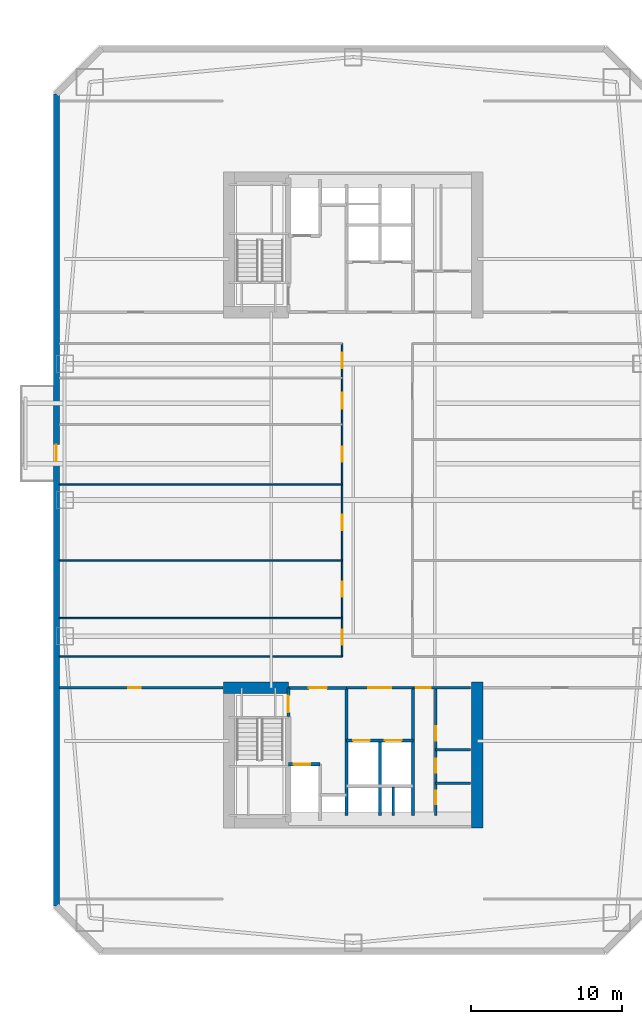
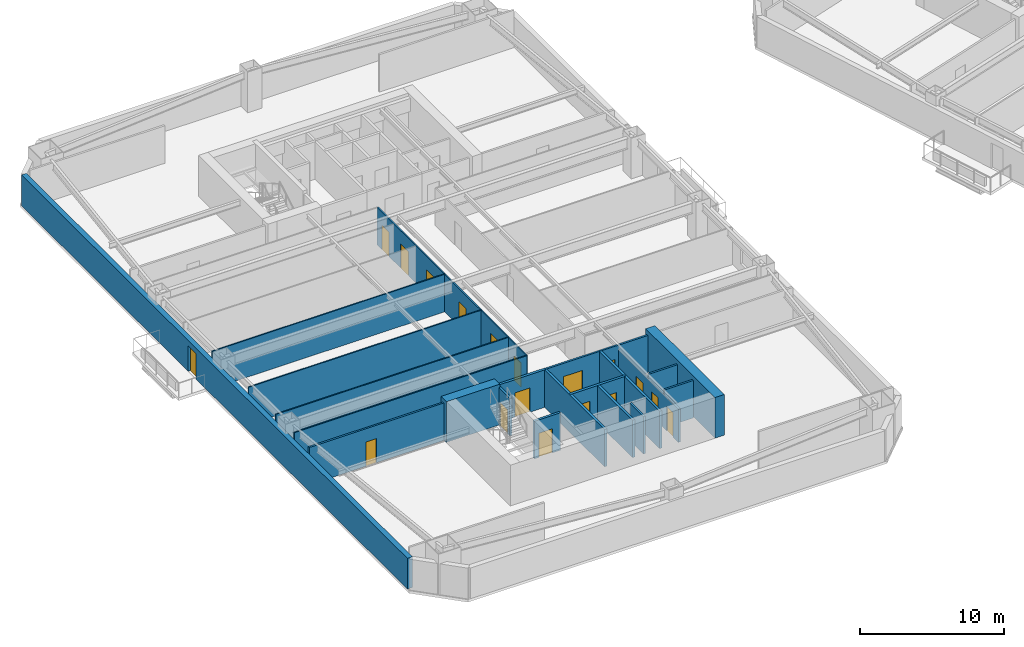
# One storey, part 4 of 15: 22 walls, 18 doors, 18 openings.
"""IFC4 building model written with IfcOpenShell, lengths in metres."""

from ifc_helpers import new_model, si_unit, direction, frame, frame_2d, origin, place, context, subcontext, project, spatial, rectangle, extrude, material, layer, layer_set, type_object, element, fill, save


model = new_model("IFC4")

# Units and contexts
model_context = context("Model", 3, precision=1e-05, world=origin(), true_north=direction((0.0, 1.0)))
body_context = subcontext(model_context, "Body", "Model", "MODEL_VIEW")
ifc_project = project(units=[si_unit("LENGTHUNIT", "METRE"), si_unit("AREAUNIT", "SQUARE_METRE"), si_unit("VOLUMEUNIT", "CUBIC_METRE"), si_unit("PLANEANGLEUNIT", "RADIAN"), si_unit("MASSUNIT", "GRAM", prefix="KILO")], contexts=[model_context])

# Site, building, storey
site_placement = place(None, origin())
site = spatial("IfcSite", under=ifc_project, at=site_placement, CompositionType="ELEMENT")
building_placement = place(site_placement, origin())
building = spatial("IfcBuilding", under=site, at=building_placement, Name="Qiaolan Cultural Towers", CompositionType="ELEMENT")
storey_placement = place(building_placement, frame((0.0, 0.0, 50.60009765625)))
storey = spatial("IfcBuildingStorey", under=building, at=storey_placement, Name="L11", CompositionType="ELEMENT", Elevation=50.60009765625)

# Walls
ifc_material_1 = material(Name="Concrete C60", Category="concrete")
ifc_layer_1 = layer(ifc_material_1, 0.75)
ifc_layer_set_1 = layer_set([ifc_layer_1], Name="Concrete C60")
wall_type_1 = type_object("IfcWallType", Name="WL-CORE-750", PredefinedType="SHEAR", material=ifc_layer_set_1)
wall_1_placement = place(storey_placement, frame((38.199951171875, 21.97509765625, 0.0), z_axis=(0.0, 0.0, 1.0), x_axis=(0.0, -1.0, 0.0)))
element("IfcWall", 1, at=wall_1_placement, inside=storey, type_object=wall_type_1, Name="L11 T1-CS East Core Shear Wall", PredefinedType="SHEAR", context=body_context, shape_type="SweptSolid", body=[
    extrude(rectangle(XDim=9.630126953125, YDim=0.75, at=frame_2d((4.81494140625, 0.0))), origin(), (0.0, 0.0, 1.0), 3.449951171875),
])
wall_2_placement = place(storey_placement, frame((21.425048828125, 21.60009765625, 0.0), z_axis=(0.0, 0.0, 1.0), x_axis=(1.0, 0.0, 0.0)))
element("IfcWall", 2, at=wall_2_placement, inside=storey, type_object=wall_type_1, Name="L11 T1-CS Stair Front Shear Wall", PredefinedType="SHEAR", context=body_context, shape_type="SweptSolid", body=[
    extrude(rectangle(XDim=4.294921875, YDim=0.75, at=frame_2d((2.1474609375, 0.0))), origin(), (0.0, 0.0, 1.0), 3.449951171875),
])

# Wall, opening, door
ifc_material_2 = material(Name="Precast Concrete C50 Honed Stone Pier", Category="masonry")
ifc_layer_2 = layer(ifc_material_2, 0.39990234375)
ifc_layer_set_2 = layer_set([ifc_layer_2], Name="Precast Concrete C50 Honed Stone Pier")
wall_type_2 = type_object("IfcWallType", Name="WL-EXT-PIER-400", PredefinedType="SOLIDWALL", material=ifc_layer_set_2)
wall_3_placement = place(storey_placement, frame((10.39990234375, 7.199951171875, 0.0), z_axis=(0.0, 0.0, 1.0), x_axis=(0.0, 1.0, 0.0)))
wall_3 = element("IfcWall", 3, at=wall_3_placement, inside=storey, type_object=wall_type_2, Name="L11 West Tower Precast Pier Facade Wall F1", PredefinedType="SOLIDWALL", context=body_context, shape_type="SweptSolid", body=[
    extrude(rectangle(XDim=53.60009765625, YDim=0.39990234375, at=frame_2d((26.800048828125, 0.0))), origin(), (0.0, 0.0, 1.0), 2.60986328125),
])
opening_1_placement = place(wall_3_placement, frame((29.35009765625, 0.0, 0.0)))
opening_1 = element("IfcOpeningElement", 4, at=opening_1_placement, cuts=wall_3, Name="Opening BD-01", PredefinedType="OPENING", context=body_context, shape_type="SweptSolid", body=[
    extrude(rectangle(XDim=1.10009765625, YDim=2.14990234375, at=frame_2d((0.550048828125, 1.074951171875))), frame((0.0, 0.2099609375, 0.0), z_axis=(0.0, -1.0, 0.0), x_axis=(1.0, 0.0, 0.0)), (0.0, 0.0, 1.0), 0.419921875),
])
ifc_material_3 = material(Name="Thermally Broken Aluminium Glazed Terrace Door", Category="aluminium")
door_type_1 = type_object("IfcDoorType", Name="DR-BAL-1100", OperationType="NOTDEFINED", PredefinedType="DOOR", material=ifc_material_3)
door_1_placement = place(opening_1_placement, origin())
door_1 = element("IfcDoor", 5, at=door_1_placement, inside=storey, type_object=door_type_1, Name="L11 T1 West Tree Balcony Door", OperationType="SINGLE_SWING_LEFT", OverallHeight=2.14990234375, OverallWidth=1.10009765625, PredefinedType="DOOR", context=body_context, shape_type="SweptSolid", body=[
    extrude(rectangle(XDim=1.10009765625, YDim=2.14990234375, at=frame_2d((0.550048828125, 1.074951171875))), frame((0.0, 0.02490234375, 0.0), z_axis=(0.0, -1.0, 0.0), x_axis=(1.0, 0.0, 0.0)), (0.0, 0.0, 1.0), 0.050048828125),
])
fill(opening_1, door_1)

ifc_material_4 = material(Name="Concrete C35 Fire Wall", Category="concrete")
ifc_layer_3 = layer(ifc_material_4, 0.199951171875)
ifc_layer_set_3 = layer_set([ifc_layer_3], Name="Concrete C35 Fire Wall")
wall_type_3 = type_object("IfcWallType", Name="WL-FIRE-200", PredefinedType="PARTITIONING", material=ifc_layer_set_3)
wall_4_placement = place(storey_placement, frame((25.719970703125, 21.60009765625, 0.0), z_axis=(0.0, 0.0, 1.0), x_axis=(0.0, -1.0, 0.0)))
wall_4 = element("IfcWall", 6, at=wall_4_placement, inside=storey, type_object=wall_type_3, Name="L11 T1-CS Smokeproof Stair Entry Wall", PredefinedType="PARTITIONING", context=body_context, shape_type="SweptSolid", body=[
    extrude(rectangle(XDim=1.900146484375, YDim=0.199951171875, at=frame_2d((0.9501953125, 0.0))), origin(), (0.0, 0.0, 1.0), 3.1748046875),
])
opening_2_placement = place(wall_4_placement, frame((0.52001953125, 0.0, 0.0)))
opening_2 = element("IfcOpeningElement", 7, at=opening_2_placement, cuts=wall_4, Name="Opening FD-04", PredefinedType="OPENING", context=body_context, shape_type="SweptSolid", body=[
    extrude(rectangle(XDim=1.10009765625, YDim=2.050048828125, at=frame_2d((0.550048828125, 1.02490234375))), frame((0.0, 0.10986328125, 0.0), z_axis=(0.0, -1.0, 0.0), x_axis=(1.0, 0.0, 0.0)), (0.0, 0.0, 1.0), 0.219970703125),
])
ifc_material_5 = material(Name="Galvanized Steel Command Fire Door", Category="steel")
door_type_2 = type_object("IfcDoorType", Name="DR-FD90-1100", OperationType="NOTDEFINED", PredefinedType="DOOR", material=ifc_material_5)
door_2_placement = place(opening_2_placement, origin())
door_2 = element("IfcDoor", 8, at=door_2_placement, inside=storey, type_object=door_type_2, Name="L11 ST-W1 Smokeproof Stair Fire Door", OperationType="SINGLE_SWING_LEFT", OverallHeight=2.050048828125, OverallWidth=1.10009765625, PredefinedType="DOOR", context=body_context, shape_type="SweptSolid", body=[
    extrude(rectangle(XDim=1.10009765625, YDim=2.050048828125, at=frame_2d((0.550048828125, 1.02490234375))), frame((0.0, 0.02490234375, 0.0), z_axis=(0.0, -1.0, 0.0), x_axis=(1.0, 0.0, 0.0)), (0.0, 0.0, 1.0), 0.050048828125),
])
fill(opening_2, door_2)

# Wall
wall_5_placement = place(storey_placement, frame((29.550048828125, 21.60009765625, 0.0), z_axis=(0.0, 0.0, 1.0), x_axis=(0.0, -1.0, 0.0)))
element("IfcWall", 9, at=wall_5_placement, inside=storey, type_object=wall_type_3, Name="L11 T1-CS Firefighting Zone Wall", PredefinedType="PARTITIONING", context=body_context, shape_type="SweptSolid", body=[
    extrude(rectangle(XDim=8.43017578125, YDim=0.199951171875, at=frame_2d((4.215087890625, 0.0))), origin(), (0.0, 0.0, 1.0), 3.1748046875),
])

# Wall, opening, door
wall_6_placement = place(storey_placement, frame((25.719970703125, 21.60009765625, 0.0), z_axis=(0.0, 0.0, 1.0), x_axis=(1.0, 0.0, 0.0)))
wall_6 = element("IfcWall", 10, at=wall_6_placement, inside=storey, type_object=wall_type_3, Name="L11 T1-CS Firefighting Lobby Front Wall", PredefinedType="PARTITIONING", context=body_context, shape_type="SweptSolid", body=[
    extrude(rectangle(XDim=3.830078125, YDim=0.199951171875, at=frame_2d((1.9150390625, 0.0))), origin(), (0.0, 0.0, 1.0), 3.1748046875),
])
opening_3_placement = place(wall_6_placement, frame((1.35009765625, 0.0, 0.0)))
opening_3 = element("IfcOpeningElement", 11, at=opening_3_placement, cuts=wall_6, Name="Opening FD-03", PredefinedType="OPENING", context=body_context, shape_type="SweptSolid", body=[
    extrude(rectangle(XDim=1.199951171875, YDim=2.050048828125, at=frame_2d((0.60009765625, 1.02490234375))), frame((0.0, 0.10986328125, 0.0), z_axis=(0.0, -1.0, 0.0), x_axis=(1.0, 0.0, 0.0)), (0.0, 0.0, 1.0), 0.219970703125),
])
ifc_material_6 = material(Name="Galvanized Steel Smokeproof Lobby Fire Door", Category="steel")
door_type_3 = type_object("IfcDoorType", Name="DR-FD90-1200", OperationType="NOTDEFINED", PredefinedType="DOOR", material=ifc_material_6)
door_3_placement = place(opening_3_placement, origin())
door_3 = element("IfcDoor", 12, at=door_3_placement, inside=storey, type_object=door_type_3, Name="L11 FFL-W1 Firefighting Lobby Fire Door", OperationType="SINGLE_SWING_LEFT", OverallHeight=2.050048828125, OverallWidth=1.199951171875, PredefinedType="DOOR", context=body_context, shape_type="SweptSolid", body=[
    extrude(rectangle(XDim=1.199951171875, YDim=2.050048828125, at=frame_2d((0.60009765625, 1.02490234375))), frame((0.0, 0.02490234375, 0.0), z_axis=(0.0, -1.0, 0.0), x_axis=(1.0, 0.0, 0.0)), (0.0, 0.0, 1.0), 0.050048828125),
])
fill(opening_3, door_3)

wall_7_placement = place(storey_placement, frame((25.719970703125, 16.550048828125, 0.0), z_axis=(0.0, 0.0, 1.0), x_axis=(1.0, 0.0, 0.0)))
wall_7 = element("IfcWall", 13, at=wall_7_placement, inside=storey, type_object=wall_type_3, Name="L11 T1-CS Firefighting Shaft Front Wall", PredefinedType="PARTITIONING", context=body_context, shape_type="SweptSolid", body=[
    extrude(rectangle(XDim=2.10009765625, YDim=0.199951171875, at=frame_2d((1.050048828125, 0.0))), origin(), (0.0, 0.0, 1.0), 3.1748046875),
])
opening_4_placement = place(wall_7_placement, frame((0.35009765625, 0.0, 0.0)))
opening_4 = element("IfcOpeningElement", 14, at=opening_4_placement, cuts=wall_7, Name="Opening LD-01", PredefinedType="OPENING", context=body_context, shape_type="SweptSolid", body=[
    extrude(rectangle(XDim=1.10009765625, YDim=2.050048828125, at=frame_2d((0.550048828125, 1.02490234375))), frame((0.0, 0.10986328125, 0.0), z_axis=(0.0, -1.0, 0.0), x_axis=(1.0, 0.0, 0.0)), (0.0, 0.0, 1.0), 0.219970703125),
])
ifc_material_7 = material(Name="Brushed Stainless Steel S30408 Centre-Parting Lift Landing Door", Category="steel")
door_type_4 = type_object("IfcDoorType", Name="DR-LIFT-1100", OperationType="NOTDEFINED", PredefinedType="DOOR", material=ifc_material_7)
door_4_placement = place(opening_4_placement, origin())
door_4 = element("IfcDoor", 15, at=door_4_placement, inside=storey, type_object=door_type_4, Name="L11 FFL-W1 Firefighting Lift Landing Door", OperationType="DOUBLE_DOOR_SLIDING", OverallHeight=2.050048828125, OverallWidth=1.10009765625, PredefinedType="DOOR", context=body_context, shape_type="SweptSolid", body=[
    extrude(rectangle(XDim=1.10009765625, YDim=2.050048828125, at=frame_2d((0.550048828125, 1.02490234375))), frame((0.0, 0.02490234375, 0.0), z_axis=(0.0, -1.0, 0.0), x_axis=(1.0, 0.0, 0.0)), (0.0, 0.0, 1.0), 0.050048828125),
])
fill(opening_4, door_4)

# Wall
wall_8_placement = place(storey_placement, frame((33.949951171875, 21.60009765625, 0.0), z_axis=(0.0, 0.0, 1.0), x_axis=(0.0, -1.0, 0.0)))
element("IfcWall", 16, at=wall_8_placement, inside=storey, type_object=wall_type_3, Name="L11 T1-CS Lift Core East Wall", PredefinedType="PARTITIONING", context=body_context, shape_type="SweptSolid", body=[
    extrude(rectangle(XDim=8.43017578125, YDim=0.199951171875, at=frame_2d((4.215087890625, 0.0))), origin(), (0.0, 0.0, 1.0), 3.1748046875),
])

# Wall, openings, doors
wall_9_placement = place(storey_placement, frame((29.550048828125, 18.1201171875, 0.0), z_axis=(0.0, 0.0, 1.0), x_axis=(1.0, 0.0, 0.0)))
wall_9 = element("IfcWall", 17, at=wall_9_placement, inside=storey, type_object=wall_type_3, Name="L11 T1-CS Passenger Lift Shaft Front Wall", PredefinedType="PARTITIONING", context=body_context, shape_type="SweptSolid", body=[
    extrude(rectangle(XDim=4.39990234375, YDim=0.199951171875, at=frame_2d((2.199951171875, 0.0))), origin(), (0.0, 0.0, 1.0), 3.1748046875),
])
opening_5_placement = place(wall_9_placement, frame((0.449951171875, 0.0, 0.0)))
opening_5 = element("IfcOpeningElement", 18, at=opening_5_placement, cuts=wall_9, Name="Opening LD-01", PredefinedType="OPENING", context=body_context, shape_type="SweptSolid", body=[
    extrude(rectangle(XDim=1.10009765625, YDim=2.050048828125, at=frame_2d((0.550048828125, 1.02490234375))), frame((0.0, 0.10986328125, 0.0), z_axis=(0.0, -1.0, 0.0), x_axis=(1.0, 0.0, 0.0)), (0.0, 0.0, 1.0), 0.219970703125),
])
opening_6_placement = place(wall_9_placement, frame((2.550048828125, 0.0, 0.0)))
opening_6 = element("IfcOpeningElement", 19, at=opening_6_placement, cuts=wall_9, Name="Opening LD-01", PredefinedType="OPENING", context=body_context, shape_type="SweptSolid", body=[
    extrude(rectangle(XDim=1.10009765625, YDim=2.050048828125, at=frame_2d((0.550048828125, 1.02490234375))), frame((0.0, 0.10986328125, 0.0), z_axis=(0.0, -1.0, 0.0), x_axis=(1.0, 0.0, 0.0)), (0.0, 0.0, 1.0), 0.219970703125),
])
door_5_placement = place(opening_5_placement, origin())
door_5 = element("IfcDoor", 20, at=door_5_placement, inside=storey, type_object=door_type_4, Name="L11 Passenger Lift 1 Landing Door", OperationType="DOUBLE_DOOR_SLIDING", OverallHeight=2.050048828125, OverallWidth=1.10009765625, PredefinedType="DOOR", context=body_context, shape_type="SweptSolid", body=[
    extrude(rectangle(XDim=1.10009765625, YDim=2.050048828125, at=frame_2d((0.550048828125, 1.02490234375))), frame((0.0, 0.02490234375, 0.0), z_axis=(0.0, -1.0, 0.0), x_axis=(1.0, 0.0, 0.0)), (0.0, 0.0, 1.0), 0.050048828125),
])
fill(opening_5, door_5)
door_6_placement = place(opening_6_placement, origin())
door_6 = element("IfcDoor", 21, at=door_6_placement, inside=storey, type_object=door_type_4, Name="L11 Passenger Lift 2 Landing Door", OperationType="DOUBLE_DOOR_SLIDING", OverallHeight=2.050048828125, OverallWidth=1.10009765625, PredefinedType="DOOR", context=body_context, shape_type="SweptSolid", body=[
    extrude(rectangle(XDim=1.10009765625, YDim=2.050048828125, at=frame_2d((0.550048828125, 1.02490234375))), frame((0.0, 0.02490234375, 0.0), z_axis=(0.0, -1.0, 0.0), x_axis=(1.0, 0.0, 0.0)), (0.0, 0.0, 1.0), 0.050048828125),
])
fill(opening_6, door_6)

# Walls
wall_10_placement = place(storey_placement, frame((31.780029296875, 18.1201171875, 0.0), z_axis=(0.0, 0.0, 1.0), x_axis=(0.0, -1.0, 0.0)))
element("IfcWall", 22, at=wall_10_placement, inside=storey, type_object=wall_type_3, Name="L11 T1-CS Lift Shaft Divider Wall", PredefinedType="PARTITIONING", context=body_context, shape_type="SweptSolid", body=[
    extrude(rectangle(XDim=4.9501953125, YDim=0.199951171875, at=frame_2d((2.47509765625, 0.0))), origin(), (0.0, 0.0, 1.0), 3.1748046875),
])
ifc_material_8 = material(Name="Acoustic Double-Glazed Partition Frame", Category="glass")
ifc_layer_4 = layer(ifc_material_8, 0.10009765625)
ifc_layer_set_4 = layer_set([ifc_layer_4], Name="Acoustic Double-Glazed Partition Frame")
wall_type_4 = type_object("IfcWallType", Name="WL-GLAZED-100", PredefinedType="MOVABLE", material=ifc_layer_set_4)
wall_11_placement = place(storey_placement, frame((10.60009765625, 23.64990234375, 0.0), z_axis=(0.0, 0.0, 1.0), x_axis=(1.0, 0.0, 0.0)))
element("IfcWall", 23, at=wall_11_placement, inside=storey, type_object=wall_type_4, Name="L11 T1 South Corridor Left Wall", PredefinedType="MOVABLE", context=body_context, shape_type="SweptSolid", body=[
    extrude(rectangle(XDim=18.6748046875, YDim=0.10009765625, at=frame_2d((9.33740234375, 0.0))), origin(), (0.0, 0.0, 1.0), 3.1748046875),
])

# Wall, openings, doors
wall_12_placement = place(storey_placement, frame((29.27490234375, 23.64990234375, 0.0), z_axis=(0.0, 0.0, 1.0), x_axis=(0.0, 1.0, 0.0)))
wall_12 = element("IfcWall", 24, at=wall_12_placement, inside=storey, type_object=wall_type_4, Name="L11 T1 West Spine Wall", PredefinedType="MOVABLE", context=body_context, shape_type="SweptSolid", body=[
    extrude(rectangle(XDim=20.7001953125, YDim=0.10009765625, at=frame_2d((10.35009765625, 0.0))), origin(), (0.0, 0.0, 1.0), 3.1748046875),
])
opening_7_placement = place(wall_12_placement, frame((0.77490234375, 0.0, 0.0)))
opening_7 = element("IfcOpeningElement", 25, at=opening_7_placement, cuts=wall_12, Name="Opening ID-04", PredefinedType="OPENING", context=body_context, shape_type="SweptSolid", body=[
    extrude(rectangle(XDim=1.0, YDim=2.050048828125, at=frame_2d((0.5, 1.02490234375))), frame((0.0, 0.06005859375, 0.0), z_axis=(0.0, -1.0, 0.0), x_axis=(1.0, 0.0, 0.0)), (0.0, 0.0, 1.0), 0.1201171875),
])
opening_8_placement = place(wall_12_placement, frame((3.949951171875, 0.0, 0.0)))
opening_8 = element("IfcOpeningElement", 26, at=opening_8_placement, cuts=wall_12, Name="Opening ID-04", PredefinedType="OPENING", context=body_context, shape_type="SweptSolid", body=[
    extrude(rectangle(XDim=1.0, YDim=2.050048828125, at=frame_2d((0.5, 1.02490234375))), frame((0.0, 0.06005859375, 0.0), z_axis=(0.0, -1.0, 0.0), x_axis=(1.0, 0.0, 0.0)), (0.0, 0.0, 1.0), 0.1201171875),
])
opening_9_placement = place(wall_12_placement, frame((8.364013671875, 0.0, 0.0)))
opening_9 = element("IfcOpeningElement", 27, at=opening_9_placement, cuts=wall_12, Name="Opening ID-04", PredefinedType="OPENING", context=body_context, shape_type="SweptSolid", body=[
    extrude(rectangle(XDim=1.0, YDim=2.050048828125, at=frame_2d((0.5, 1.02490234375))), frame((0.0, 0.06005859375, 0.0), z_axis=(0.0, -1.0, 0.0), x_axis=(1.0, 0.0, 0.0)), (0.0, 0.0, 1.0), 0.1201171875),
])
opening_10_placement = place(wall_12_placement, frame((12.864013671875, 0.0, 0.0)))
opening_10 = element("IfcOpeningElement", 28, at=opening_10_placement, cuts=wall_12, Name="Opening ID-04", PredefinedType="OPENING", context=body_context, shape_type="SweptSolid", body=[
    extrude(rectangle(XDim=1.0, YDim=2.050048828125, at=frame_2d((0.5, 1.02490234375))), frame((0.0, 0.06005859375, 0.0), z_axis=(0.0, -1.0, 0.0), x_axis=(1.0, 0.0, 0.0)), (0.0, 0.0, 1.0), 0.1201171875),
])
opening_11_placement = place(wall_12_placement, frame((16.383056640625, 0.0, 0.0)))
opening_11 = element("IfcOpeningElement", 29, at=opening_11_placement, cuts=wall_12, Name="Opening ID-07", PredefinedType="OPENING", context=body_context, shape_type="SweptSolid", body=[
    extrude(rectangle(XDim=1.050048828125, YDim=2.050048828125, at=frame_2d((0.52490234375, 1.02490234375))), frame((0.0, 0.06005859375, 0.0), z_axis=(0.0, -1.0, 0.0), x_axis=(1.0, 0.0, 0.0)), (0.0, 0.0, 1.0), 0.1201171875),
])
opening_12_placement = place(wall_12_placement, frame((19.05810546875, 0.0, 0.0)))
opening_12 = element("IfcOpeningElement", 30, at=opening_12_placement, cuts=wall_12, Name="Opening ID-04", PredefinedType="OPENING", context=body_context, shape_type="SweptSolid", body=[
    extrude(rectangle(XDim=1.0, YDim=2.050048828125, at=frame_2d((0.5, 1.02490234375))), frame((0.0, 0.06005859375, 0.0), z_axis=(0.0, -1.0, 0.0), x_axis=(1.0, 0.0, 0.0)), (0.0, 0.0, 1.0), 0.1201171875),
])
ifc_material_9 = material(Name="Oak Veneer Acoustic Office Door", Category="timber")
door_type_5 = type_object("IfcDoorType", Name="DR-INT-1000", OperationType="NOTDEFINED", PredefinedType="DOOR", material=ifc_material_9)
door_7_placement = place(opening_7_placement, origin())
door_7 = element("IfcDoor", 31, at=door_7_placement, inside=storey, type_object=door_type_5, Name="L11 T1 Project Briefing Room Door", OperationType="SINGLE_SWING_LEFT", OverallHeight=2.050048828125, OverallWidth=1.0, PredefinedType="DOOR", context=body_context, shape_type="SweptSolid", body=[
    extrude(rectangle(XDim=1.0, YDim=2.050048828125, at=frame_2d((0.5, 1.02490234375))), frame((0.0, 0.02490234375, 0.0), z_axis=(0.0, -1.0, 0.0), x_axis=(1.0, 0.0, 0.0)), (0.0, 0.0, 1.0), 0.050048828125),
])
fill(opening_7, door_7)
door_8_placement = place(opening_8_placement, origin())
door_8 = element("IfcDoor", 32, at=door_8_placement, inside=storey, type_object=door_type_5, Name="L11 T1 Curatorial Research Office Door", OperationType="SINGLE_SWING_RIGHT", OverallHeight=2.050048828125, OverallWidth=1.0, PredefinedType="DOOR", context=body_context, shape_type="SweptSolid", body=[
    extrude(rectangle(XDim=1.0, YDim=2.050048828125, at=frame_2d((0.5, 1.02490234375))), frame((0.0, 0.02490234375, 0.0), z_axis=(0.0, -1.0, 0.0), x_axis=(1.0, 0.0, 0.0)), (0.0, 0.0, 1.0), 0.050048828125),
])
fill(opening_8, door_8)
door_9_placement = place(opening_9_placement, origin())
door_9 = element("IfcDoor", 33, at=door_9_placement, inside=storey, type_object=door_type_5, Name="L11 T1 Curatorial Research Office Door", OperationType="SINGLE_SWING_LEFT", OverallHeight=2.050048828125, OverallWidth=1.0, PredefinedType="DOOR", context=body_context, shape_type="SweptSolid", body=[
    extrude(rectangle(XDim=1.0, YDim=2.050048828125, at=frame_2d((0.5, 1.02490234375))), frame((0.0, 0.02490234375, 0.0), z_axis=(0.0, -1.0, 0.0), x_axis=(1.0, 0.0, 0.0)), (0.0, 0.0, 1.0), 0.050048828125),
])
fill(opening_9, door_9)
door_10_placement = place(opening_10_placement, origin())
door_10 = element("IfcDoor", 34, at=door_10_placement, inside=storey, type_object=door_type_5, Name="L11 T1 Wellness Consultation Room Door", OperationType="SINGLE_SWING_RIGHT", OverallHeight=2.050048828125, OverallWidth=1.0, PredefinedType="DOOR", context=body_context, shape_type="SweptSolid", body=[
    extrude(rectangle(XDim=1.0, YDim=2.050048828125, at=frame_2d((0.5, 1.02490234375))), frame((0.0, 0.02490234375, 0.0), z_axis=(0.0, -1.0, 0.0), x_axis=(1.0, 0.0, 0.0)), (0.0, 0.0, 1.0), 0.050048828125),
])
fill(opening_10, door_10)
door_11_placement = place(opening_12_placement, origin())
door_11 = element("IfcDoor", 35, at=door_11_placement, inside=storey, type_object=door_type_5, Name="L11 T1 Staff Lounge Door", OperationType="SINGLE_SWING_RIGHT", OverallHeight=2.050048828125, OverallWidth=1.0, PredefinedType="DOOR", context=body_context, shape_type="SweptSolid", body=[
    extrude(rectangle(XDim=1.0, YDim=2.050048828125, at=frame_2d((0.5, 1.02490234375))), frame((0.0, 0.02490234375, 0.0), z_axis=(0.0, -1.0, 0.0), x_axis=(1.0, 0.0, 0.0)), (0.0, 0.0, 1.0), 0.050048828125),
])
fill(opening_12, door_11)
ifc_material_10 = material(Name="Oak Veneer Consultation Door", Category="timber")
door_type_6 = type_object("IfcDoorType", Name="DR-INT-1050", OperationType="NOTDEFINED", PredefinedType="DOOR", material=ifc_material_10)
door_12_placement = place(opening_11_placement, origin())
door_12 = element("IfcDoor", 36, at=door_12_placement, inside=storey, type_object=door_type_6, Name="L11 T1 Wellness Consultation Room Door", OperationType="SINGLE_SWING_LEFT", OverallHeight=2.050048828125, OverallWidth=1.050048828125, PredefinedType="DOOR", context=body_context, shape_type="SweptSolid", body=[
    extrude(rectangle(XDim=1.050048828125, YDim=2.050048828125, at=frame_2d((0.52490234375, 1.02490234375))), frame((0.0, 0.02490234375, 0.0), z_axis=(0.0, -1.0, 0.0), x_axis=(1.0, 0.0, 0.0)), (0.0, 0.0, 1.0), 0.050048828125),
])
fill(opening_11, door_12)

# Walls
for number, where, z_axis, x_axis, name in (
    (37, (10.60009765625, 26.199951171875, 0.0), (0.0, 0.0, 1.0), (1.0, 0.0, 0.0), "L11 T1 West Partition 1"),
    (38, (10.60009765625, 30.0, 0.0), (0.0, 0.0, 1.0), (1.0, 0.0, 0.0), "L11 T1 West Partition 2"),
    (39, (10.60009765625, 35.028076171875, 0.0), (0.0, 0.0, 1.0), (1.0, 0.0, 0.0), "L11 T1 West Partition 3"),
):
    element("IfcWall", number, at=place(storey_placement, frame(where, z_axis=z_axis, x_axis=x_axis)), inside=storey, type_object=wall_type_4, Name=name, PredefinedType="MOVABLE", context=body_context, shape_type="SweptSolid", body=[
        extrude(rectangle(XDim=18.6748046875, YDim=0.10009765625, at=frame_2d((9.33740234375, 0.0))), origin(), (0.0, 0.0, 1.0), 3.1748046875),
    ])

# Wall, opening, door
ifc_material_11 = material(Name="Autoclaved Aerated Concrete Block B06", Category="concrete")
ifc_layer_5 = layer(ifc_material_11, 0.14990234375)
ifc_layer_set_5 = layer_set([ifc_layer_5], Name="Autoclaved Aerated Concrete Block B06")
wall_type_5 = type_object("IfcWallType", Name="WL-PART-150", PredefinedType="PARTITIONING", material=ifc_layer_set_5)
wall_13_placement = place(storey_placement, frame((29.550048828125, 21.60009765625, 0.0), z_axis=(0.0, 0.0, 1.0), x_axis=(1.0, 0.0, 0.0)))
wall_13 = element("IfcWall", 40, at=wall_13_placement, inside=storey, type_object=wall_type_5, Name="L11 T1-CS Passenger Lift Lobby Front Wall", PredefinedType="PARTITIONING", context=body_context, shape_type="SweptSolid", body=[
    extrude(rectangle(XDim=4.39990234375, YDim=0.14990234375, at=frame_2d((2.199951171875, 0.0))), origin(), (0.0, 0.0, 1.0), 3.1748046875),
])
opening_13_placement = place(wall_13_placement, frame((1.449951171875, 0.0, 0.0)))
opening_13 = element("IfcOpeningElement", 41, at=opening_13_placement, cuts=wall_13, Name="Opening FD-05", PredefinedType="OPENING", context=body_context, shape_type="SweptSolid", body=[
    extrude(rectangle(XDim=1.5, YDim=2.050048828125, at=frame_2d((0.75, 1.02490234375))), frame((0.0, 0.0849609375, 0.0), z_axis=(0.0, -1.0, 0.0), x_axis=(1.0, 0.0, 0.0)), (0.0, 0.0, 1.0), 0.169921875),
])
ifc_material_12 = material(Name="Painted Steel Lift Lobby Fire Door", Category="steel")
door_type_7 = type_object("IfcDoorType", Name="DR-FD60-1500", OperationType="NOTDEFINED", PredefinedType="DOOR", material=ifc_material_12)
door_13_placement = place(opening_13_placement, origin())
door_13 = element("IfcDoor", 42, at=door_13_placement, inside=storey, type_object=door_type_7, Name="L11 Passenger Lift Lobby Entrance", OperationType="SINGLE_SWING_LEFT", OverallHeight=2.050048828125, OverallWidth=1.5, PredefinedType="DOOR", context=body_context, shape_type="SweptSolid", body=[
    extrude(rectangle(XDim=1.5, YDim=2.050048828125, at=frame_2d((0.75, 1.02490234375))), frame((0.0, 0.02490234375, 0.0), z_axis=(0.0, -1.0, 0.0), x_axis=(1.0, 0.0, 0.0)), (0.0, 0.0, 1.0), 0.050048828125),
])
fill(opening_13, door_13)

# Wall
wall_14_placement = place(storey_placement, frame((32.64990234375, 15.050048828125, 0.0), z_axis=(0.0, 0.0, 1.0), x_axis=(0.0, -1.0, 0.0)))
element("IfcWall", 43, at=wall_14_placement, inside=storey, type_object=wall_type_5, Name="L11 T1-CS Core Rear Asymmetric Wall", PredefinedType="PARTITIONING", context=body_context, shape_type="SweptSolid", body=[
    extrude(rectangle(XDim=1.880126953125, YDim=0.14990234375, at=frame_2d((0.93994140625, 0.0))), origin(), (0.0, 0.0, 1.0), 3.1748046875),
])

# Wall, opening, door
wall_15_placement = place(storey_placement, frame((33.949951171875, 21.60009765625, 0.0), z_axis=(0.0, 0.0, 1.0), x_axis=(1.0, 0.0, 0.0)))
wall_15 = element("IfcWall", 44, at=wall_15_placement, inside=storey, type_object=wall_type_5, Name="L11 T1-CS Sanitary Core Front Wall", PredefinedType="PARTITIONING", context=body_context, shape_type="SweptSolid", body=[
    extrude(rectangle(XDim=3.800048828125, YDim=0.14990234375, at=frame_2d((1.89990234375, 0.0))), origin(), (0.0, 0.0, 1.0), 3.1748046875),
])
opening_14_placement = place(wall_15_placement, frame((0.219970703125, 0.0, 0.0)))
opening_14 = element("IfcOpeningElement", 45, at=opening_14_placement, cuts=wall_15, Name="Opening ID-05", PredefinedType="OPENING", context=body_context, shape_type="SweptSolid", body=[
    extrude(rectangle(XDim=0.949951171875, YDim=2.050048828125, at=frame_2d((0.47509765625, 1.02490234375))), frame((0.0, 0.0849609375, 0.0), z_axis=(0.0, -1.0, 0.0), x_axis=(1.0, 0.0, 0.0)), (0.0, 0.0, 1.0), 0.169921875),
])
ifc_material_13 = material(Name="Fire-Rated Laminate Accessible Core Door", Category="timber")
door_type_8 = type_object("IfcDoorType", Name="DR-INT-950", OperationType="NOTDEFINED", PredefinedType="DOOR", material=ifc_material_13)
door_14_placement = place(opening_14_placement, origin())
door_14 = element("IfcDoor", 46, at=door_14_placement, inside=storey, type_object=door_type_8, Name="L11 Sanitary Vestibule Door", OperationType="SINGLE_SWING_LEFT", OverallHeight=2.050048828125, OverallWidth=0.949951171875, PredefinedType="DOOR", context=body_context, shape_type="SweptSolid", body=[
    extrude(rectangle(XDim=0.949951171875, YDim=2.050048828125, at=frame_2d((0.47509765625, 1.02490234375))), frame((0.0, 0.02490234375, 0.0), z_axis=(0.0, -1.0, 0.0), x_axis=(1.0, 0.0, 0.0)), (0.0, 0.0, 1.0), 0.050048828125),
])
fill(opening_14, door_14)

# Wall, openings, doors
wall_16_placement = place(storey_placement, frame((35.449951171875, 21.60009765625, 0.0), z_axis=(0.0, 0.0, 1.0), x_axis=(0.0, -1.0, 0.0)))
wall_16 = element("IfcWall", 47, at=wall_16_placement, inside=storey, type_object=wall_type_5, Name="L11 T1-CS Sanitary Vestibule Wall", PredefinedType="PARTITIONING", context=body_context, shape_type="SweptSolid", body=[
    extrude(rectangle(XDim=8.43017578125, YDim=0.14990234375, at=frame_2d((4.215087890625, 0.0))), origin(), (0.0, 0.0, 1.0), 2.81494140625),
])
opening_15_placement = place(wall_16_placement, frame((2.550048828125, 0.0, 0.0)))
opening_15 = element("IfcOpeningElement", 48, at=opening_15_placement, cuts=wall_16, Name="Opening ID-05", PredefinedType="OPENING", context=body_context, shape_type="SweptSolid", body=[
    extrude(rectangle(XDim=0.949951171875, YDim=2.050048828125, at=frame_2d((0.47509765625, 1.02490234375))), frame((0.0, 0.0849609375, 0.0), z_axis=(0.0, -1.0, 0.0), x_axis=(1.0, 0.0, 0.0)), (0.0, 0.0, 1.0), 0.169921875),
])
opening_16_placement = place(wall_16_placement, frame((4.699951171875, 0.0, 0.0)))
opening_16 = element("IfcOpeningElement", 49, at=opening_16_placement, cuts=wall_16, Name="Opening ID-06", PredefinedType="OPENING", context=body_context, shape_type="SweptSolid", body=[
    extrude(rectangle(XDim=0.89990234375, YDim=2.050048828125, at=frame_2d((0.449951171875, 1.02490234375))), frame((0.0, 0.0849609375, 0.0), z_axis=(0.0, -1.0, 0.0), x_axis=(1.0, 0.0, 0.0)), (0.0, 0.0, 1.0), 0.169921875),
])
opening_17_placement = place(wall_16_placement, frame((6.800048828125, 0.0, 0.0)))
opening_17 = element("IfcOpeningElement", 50, at=opening_17_placement, cuts=wall_16, Name="Opening ID-06", PredefinedType="OPENING", context=body_context, shape_type="SweptSolid", body=[
    extrude(rectangle(XDim=0.89990234375, YDim=2.050048828125, at=frame_2d((0.449951171875, 1.02490234375))), frame((0.0, 0.0849609375, 0.0), z_axis=(0.0, -1.0, 0.0), x_axis=(1.0, 0.0, 0.0)), (0.0, 0.0, 1.0), 0.169921875),
])
ifc_material_14 = material(Name="Fire-Rated Laminate Core Service Door", Category="timber")
door_type_9 = type_object("IfcDoorType", Name="DR-INT-900", OperationType="NOTDEFINED", PredefinedType="DOOR", material=ifc_material_14)
door_15_placement = place(opening_16_placement, origin())
door_15 = element("IfcDoor", 51, at=door_15_placement, inside=storey, type_object=door_type_9, Name="L11 Men Washroom Door", OperationType="SINGLE_SWING_LEFT", OverallHeight=2.050048828125, OverallWidth=0.89990234375, PredefinedType="DOOR", context=body_context, shape_type="SweptSolid", body=[
    extrude(rectangle(XDim=0.89990234375, YDim=2.050048828125, at=frame_2d((0.449951171875, 1.02490234375))), frame((0.0, 0.02490234375, 0.0), z_axis=(0.0, -1.0, 0.0), x_axis=(1.0, 0.0, 0.0)), (0.0, 0.0, 1.0), 0.050048828125),
])
fill(opening_16, door_15)
door_16_placement = place(opening_17_placement, origin())
door_16 = element("IfcDoor", 52, at=door_16_placement, inside=storey, type_object=door_type_9, Name="L11 Women Washroom Door", OperationType="SINGLE_SWING_RIGHT", OverallHeight=2.050048828125, OverallWidth=0.89990234375, PredefinedType="DOOR", context=body_context, shape_type="SweptSolid", body=[
    extrude(rectangle(XDim=0.89990234375, YDim=2.050048828125, at=frame_2d((0.449951171875, 1.02490234375))), frame((0.0, 0.02490234375, 0.0), z_axis=(0.0, -1.0, 0.0), x_axis=(1.0, 0.0, 0.0)), (0.0, 0.0, 1.0), 0.050048828125),
])
fill(opening_17, door_16)
door_17_placement = place(opening_15_placement, origin())
door_17 = element("IfcDoor", 53, at=door_17_placement, inside=storey, type_object=door_type_8, Name="L11 Accessible Family Washroom Door", OperationType="SINGLE_SWING_LEFT", OverallHeight=2.050048828125, OverallWidth=0.949951171875, PredefinedType="DOOR", context=body_context, shape_type="SweptSolid", body=[
    extrude(rectangle(XDim=0.949951171875, YDim=2.050048828125, at=frame_2d((0.47509765625, 1.02490234375))), frame((0.0, 0.02490234375, 0.0), z_axis=(0.0, -1.0, 0.0), x_axis=(1.0, 0.0, 0.0)), (0.0, 0.0, 1.0), 0.050048828125),
])
fill(opening_15, door_17)

# Walls
for number, where, z_axis, x_axis, name in (
    (54, (35.449951171875, 17.5, 0.0), (0.0, 0.0, 1.0), (1.0, 0.0, 0.0), "L11 T1-CS Restroom Split Wall 1"),
    (55, (35.449951171875, 15.300048828125, 0.0), (0.0, 0.0, 1.0), (1.0, 0.0, 0.0), "L11 T1-CS Restroom Split Wall 2"),
):
    element("IfcWall", number, at=place(storey_placement, frame(where, z_axis=z_axis, x_axis=x_axis)), inside=storey, type_object=wall_type_5, Name=name, PredefinedType="PARTITIONING", context=body_context, shape_type="SweptSolid", body=[
        extrude(rectangle(XDim=2.300048828125, YDim=0.14990234375, at=frame_2d((1.14990234375, 0.0))), origin(), (0.0, 0.0, 1.0), 3.1748046875),
    ])

# Wall, opening, door
wall_17_placement = place(storey_placement, frame((10.60009765625, 21.60009765625, 0.0), z_axis=(0.0, 0.0, 1.0), x_axis=(1.0, 0.0, 0.0)))
wall_17 = element("IfcWall", 56, at=wall_17_placement, inside=storey, type_object=wall_type_5, Name="L11 T1 Flank Front FLK-SW", PredefinedType="PARTITIONING", context=body_context, shape_type="SweptSolid", body=[
    extrude(rectangle(XDim=10.7998046875, YDim=0.14990234375, at=frame_2d((5.39990234375, 0.0))), origin(), (0.0, 0.0, 1.0), 3.1748046875),
])
opening_18_placement = place(wall_17_placement, frame((4.535888671875, 0.0, 0.0)))
opening_18 = element("IfcOpeningElement", 57, at=opening_18_placement, cuts=wall_17, Name="Opening ID-09", PredefinedType="OPENING", context=body_context, shape_type="SweptSolid", body=[
    extrude(rectangle(XDim=0.85009765625, YDim=2.050048828125, at=frame_2d((0.425048828125, 1.02490234375))), frame((0.0, 0.0849609375, 0.0), z_axis=(0.0, -1.0, 0.0), x_axis=(1.0, 0.0, 0.0)), (0.0, 0.0, 1.0), 0.169921875),
])
ifc_material_15 = material(Name="Moisture-Resistant Laminate Utility Door", Category="timber")
door_type_10 = type_object("IfcDoorType", Name="DR-INT-850", OperationType="NOTDEFINED", PredefinedType="DOOR", material=ifc_material_15)
door_18_placement = place(opening_18_placement, origin())
door_18 = element("IfcDoor", 58, at=door_18_placement, inside=storey, type_object=door_type_10, Name="L11 T1 Corner Studio Door", OperationType="SINGLE_SWING_LEFT", OverallHeight=2.050048828125, OverallWidth=0.85009765625, PredefinedType="DOOR", context=body_context, shape_type="SweptSolid", body=[
    extrude(rectangle(XDim=0.85009765625, YDim=2.050048828125, at=frame_2d((0.425048828125, 1.02490234375))), frame((0.0, 0.02490234375, 0.0), z_axis=(0.0, -1.0, 0.0), x_axis=(1.0, 0.0, 0.0)), (0.0, 0.0, 1.0), 0.050048828125),
])
fill(opening_18, door_18)

save(model, "model.ifc")
